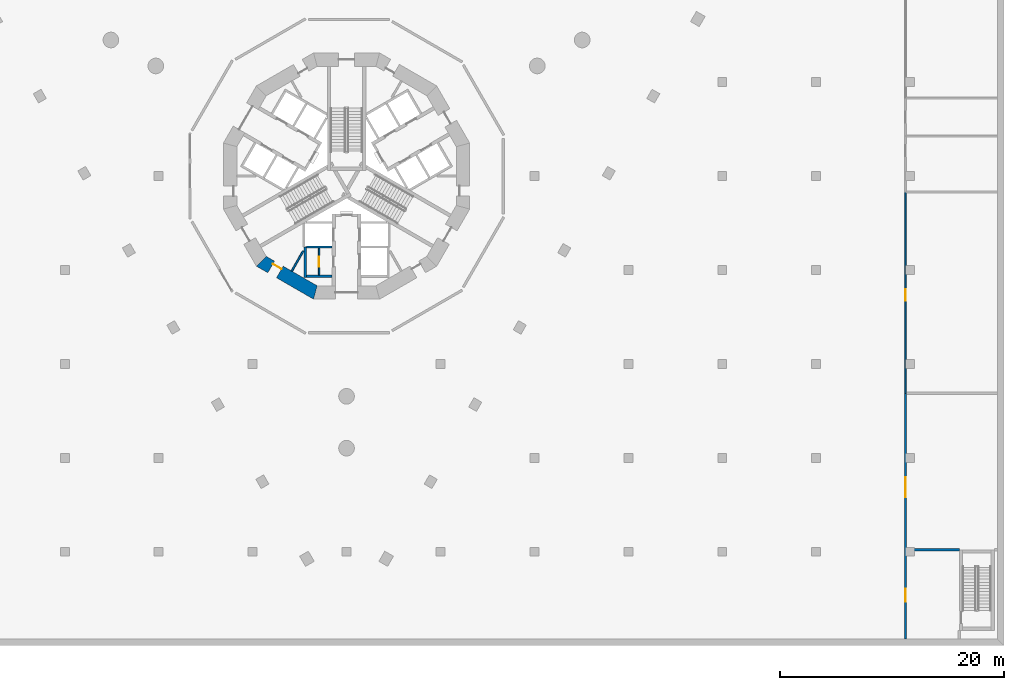
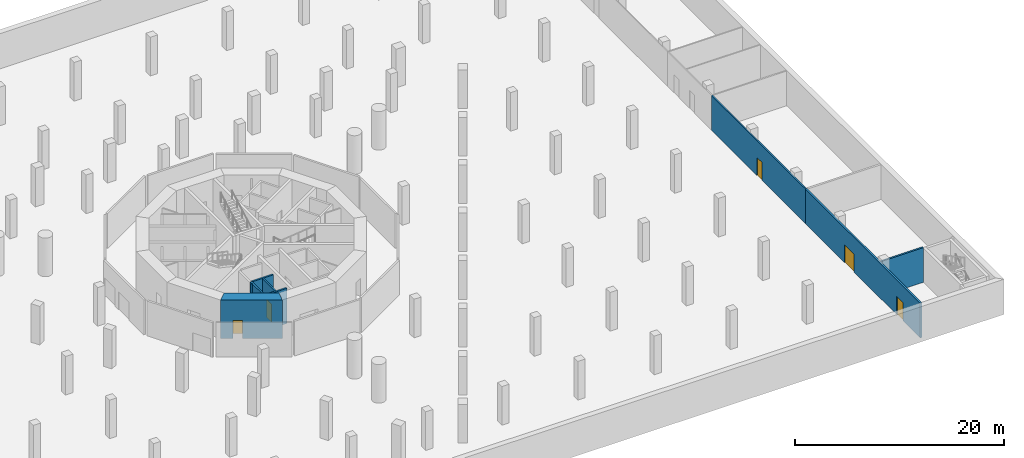
# One storey, part 5 of 21: 9 walls, 5 doors, 5 openings.
"""IFC4 building model written with IfcOpenShell, lengths in metres."""

from ifc_helpers import new_model, si_unit, direction, frame, frame_2d, origin, place, context, subcontext, project, spatial, polyline, rectangle, outline, extrude, material, layer, layer_set, type_object, element, fill, save


model = new_model("IFC4")

# Units and contexts
model_context = context("Model", 3, precision=1e-05, world=origin(), true_north=direction((0.0, 1.0)))
body_context = subcontext(model_context, "Body", "Model", "MODEL_VIEW")
ifc_project = project(units=[si_unit("LENGTHUNIT", "METRE"), si_unit("AREAUNIT", "SQUARE_METRE"), si_unit("VOLUMEUNIT", "CUBIC_METRE"), si_unit("PLANEANGLEUNIT", "RADIAN"), si_unit("MASSUNIT", "GRAM", prefix="KILO")], contexts=[model_context])

# Site, building, storey
site_placement = place(None, origin())
site = spatial("IfcSite", under=ifc_project, at=site_placement, CompositionType="ELEMENT")
building_placement = place(site_placement, origin())
building = spatial("IfcBuilding", under=site, at=building_placement, Name="Trine Commons Tower", CompositionType="ELEMENT")
storey_placement = place(building_placement, frame((0.0, 0.0, -4.5)))
storey = spatial("IfcBuildingStorey", under=building, at=storey_placement, Name="B1", CompositionType="ELEMENT", Elevation=-4.5)

# Wall, opening, door
ifc_material_1 = material(Name="Plasterboard on steel stud", Category="steel")
ifc_layer_1 = layer(ifc_material_1, 0.14990234375)
ifc_layer_set_1 = layer_set([ifc_layer_1], Name="Plasterboard on steel stud")
wall_type_1 = type_object("IfcWallType", Name="Compartment wall 150 mm, EI 60", PredefinedType="PARTITIONING", material=ifc_layer_set_1)
wall_1_placement = place(storey_placement, frame((130.0, 43.06982421875, 0.0), z_axis=(0.0, 0.0, 1.0), x_axis=(0.0, 1.0, 0.0)))
wall_1 = element("IfcWall", 1, at=wall_1_placement, inside=storey, type_object=wall_type_1, Name="Partition B1025", PredefinedType="PARTITIONING", context=body_context, shape_type="SweptSolid", body=[
    extrude(rectangle(XDim=18.00048828125, YDim=0.14990234375, at=frame_2d((9.000244140625, 0.0))), origin(), (0.0, 0.0, 1.0), 4.050048828125),
])
opening_1_placement = place(wall_1_placement, frame((8.30029296875, 0.0, 0.0)))
opening_1 = element("IfcOpeningElement", 2, at=opening_1_placement, cuts=wall_1, Name="Opening D-B112", PredefinedType="OPENING", context=body_context, shape_type="SweptSolid", body=[
    extrude(rectangle(XDim=1.0, YDim=2.10009765625, at=frame_2d((0.5, 1.050048828125))), frame((0.0, 0.0849609375, 0.0), z_axis=(0.0, -1.0, 0.0), x_axis=(1.0, 0.0, 0.0)), (0.0, 0.0, 1.0), 0.169921875),
])
ifc_material_2 = material(Name="Timber fire door set", Category="wood")
door_type_1 = type_object("IfcDoorType", Name="Single swing door 1000x2100, FD30S", OperationType="SINGLE_SWING_LEFT", PredefinedType="DOOR", material=ifc_material_2)
door_1_placement = place(opening_1_placement, origin())
door_1 = element("IfcDoor", 3, at=door_1_placement, inside=storey, type_object=door_type_1, Name="Door D-B112", OperationType="SINGLE_SWING_LEFT", OverallHeight=2.10009765625, OverallWidth=1.0, PredefinedType="DOOR", context=body_context, shape_type="SweptSolid", body=[
    extrude(rectangle(XDim=1.0, YDim=2.10009765625, at=frame_2d((0.5, 1.050048828125))), frame((0.0, 0.02490234375, 0.0), z_axis=(0.0, -1.0, 0.0), x_axis=(1.0, 0.0, 0.0)), (0.0, 0.0, 1.0), 0.050048828125),
])
fill(opening_1, door_1)

# Wall
ifc_material_3 = material(Name="Plasterboard partition on steel studs", Category="steel")
ifc_layer_2 = layer(ifc_material_3, 0.14990234375)
ifc_layer_set_2 = layer_set([ifc_layer_2], Name="Plasterboard partition on steel studs")
wall_type_2 = type_object("IfcWallType", Name="Core room partition 150 mm, EI 60", PredefinedType="PARTITIONING", material=ifc_layer_set_2)
wall_2_placement = place(storey_placement, frame((75.094970703125, 54.0029296875, 0.0), z_axis=(0.0, 0.0, 1.0), x_axis=(0.5000780968, 0.865980309881, 0.0)))
element("IfcWall", 4, at=wall_2_placement, inside=storey, type_object=wall_type_2, Name="Core room partition B1", PredefinedType="PARTITIONING", context=body_context, shape_type="SweptSolid", body=[
    extrude(rectangle(XDim=2.079833984375, YDim=0.14990234375, at=frame_2d((1.0400390625, 0.0))), origin(), (0.0, 0.0, 1.0), 4.10009765625),
])

# Wall, opening, door
wall_3_placement = place(storey_placement, frame((77.550048828125, 56.050048828125, 0.0), z_axis=(0.0, 0.0, 1.0), x_axis=(0.0, -1.0, 0.0)))
wall_3 = element("IfcWall", 5, at=wall_3_placement, inside=storey, type_object=wall_type_2, Name="Core room partition B1", PredefinedType="PARTITIONING", context=body_context, shape_type="SweptSolid", body=[
    extrude(rectangle(XDim=2.400146484375, YDim=0.14990234375, at=frame_2d((1.2001953125, 0.0))), origin(), (0.0, 0.0, 1.0), 4.10009765625),
])
opening_2_placement = place(wall_3_placement, frame((0.75, 0.0, 0.0)))
opening_2 = element("IfcOpeningElement", 6, at=opening_2_placement, cuts=wall_3, Name="Opening K02.11", PredefinedType="OPENING", context=body_context, shape_type="SweptSolid", body=[
    extrude(rectangle(XDim=0.89990234375, YDim=2.10009765625, at=frame_2d((0.449951171875, 1.050048828125))), frame((0.0, 0.0849609375, 0.0), z_axis=(0.0, -1.0, 0.0), x_axis=(1.0, 0.0, 0.0)), (0.0, 0.0, 1.0), 0.169921875),
])
ifc_material_4 = material(Name="Steel door leaf, fire-rated", Category="steel")
door_type_2 = type_object("IfcDoorType", Name="Core room door, single leaf 900 x 2100, FD30S", OperationType="SINGLE_SWING_LEFT", PredefinedType="DOOR", material=ifc_material_4)
door_2_placement = place(opening_2_placement, frame((0.89990234375, 0.0, 0.0), z_axis=(0.0, 0.0, 1.0), x_axis=(-1.0, 0.0, 0.0)))
door_2 = element("IfcDoor", 7, at=door_2_placement, inside=storey, type_object=door_type_2, Name="Door to Store B1", OperationType="SINGLE_SWING_LEFT", OverallHeight=2.10009765625, OverallWidth=0.89990234375, PredefinedType="DOOR", context=body_context, shape_type="SweptSolid", body=[
    extrude(rectangle(XDim=0.89990234375, YDim=2.10009765625, at=frame_2d((0.449951171875, 1.050048828125))), frame((0.0, 0.02490234375, 0.0), z_axis=(0.0, -1.0, 0.0), x_axis=(1.0, 0.0, 0.0)), (0.0, 0.0, 1.0), 0.050048828125),
])
fill(opening_2, door_2)

# Wall, openings, doors
ifc_layer_3 = layer(ifc_material_1, 0.199951171875)
ifc_layer_set_3 = layer_set([ifc_layer_3], Name="Plasterboard on steel stud")
wall_type_3 = type_object("IfcWallType", Name="Fire wall 200 mm, EI 120", PredefinedType="PARTITIONING", material=ifc_layer_set_3)
wall_4_placement = place(storey_placement, frame((130.0, 21.10009765625, 0.0), z_axis=(0.0, 0.0, 1.0), x_axis=(0.0, 1.0, 0.0)))
wall_4 = element("IfcWall", 8, at=wall_4_placement, inside=storey, type_object=wall_type_3, Name="Partition B1023", PredefinedType="PARTITIONING", context=body_context, shape_type="SweptSolid", body=[
    extrude(rectangle(XDim=21.97021484375, YDim=0.199951171875, at=frame_2d((10.985107421875, 0.0))), origin(), (0.0, 0.0, 1.0), 4.050048828125),
])
opening_3_placement = place(wall_4_placement, frame((3.31005859375, 0.0, 0.0)))
opening_3 = element("IfcOpeningElement", 9, at=opening_3_placement, cuts=wall_4, Name="Opening D-B110", PredefinedType="OPENING", context=body_context, shape_type="SweptSolid", body=[
    extrude(rectangle(XDim=1.199951171875, YDim=2.10009765625, at=frame_2d((0.60009765625, 1.050048828125))), frame((0.0, 0.10986328125, 0.0), z_axis=(0.0, -1.0, 0.0), x_axis=(1.0, 0.0, 0.0)), (0.0, 0.0, 1.0), 0.219970703125),
])
opening_4_placement = place(wall_4_placement, frame((12.669921875, 0.0, 0.0)))
opening_4 = element("IfcOpeningElement", 10, at=opening_4_placement, cuts=wall_4, Name="Opening D-B111", PredefinedType="OPENING", context=body_context, shape_type="SweptSolid", body=[
    extrude(rectangle(XDim=1.800048828125, YDim=2.10009765625, at=frame_2d((0.89990234375, 1.050048828125))), frame((0.0, 0.10986328125, 0.0), z_axis=(0.0, -1.0, 0.0), x_axis=(1.0, 0.0, 0.0)), (0.0, 0.0, 1.0), 0.219970703125),
])
door_type_3 = type_object("IfcDoorType", Name="Double swing door 1800x2100, FD60", OperationType="DOUBLE_DOOR_DOUBLE_SWING", PredefinedType="DOOR", material=ifc_material_2)
door_3_placement = place(opening_4_placement, origin())
door_3 = element("IfcDoor", 11, at=door_3_placement, inside=storey, type_object=door_type_3, Name="Door D-B111", OperationType="DOUBLE_DOOR_DOUBLE_SWING", OverallHeight=2.10009765625, OverallWidth=1.800048828125, PredefinedType="DOOR", context=body_context, shape_type="SweptSolid", body=[
    extrude(rectangle(XDim=1.800048828125, YDim=2.10009765625, at=frame_2d((0.89990234375, 1.050048828125))), frame((0.0, 0.02490234375, 0.0), z_axis=(0.0, -1.0, 0.0), x_axis=(1.0, 0.0, 0.0)), (0.0, 0.0, 1.0), 0.050048828125),
])
fill(opening_4, door_3)
door_type_4 = type_object("IfcDoorType", Name="Single swing door 1200x2100, FD60", OperationType="SINGLE_SWING_LEFT", PredefinedType="DOOR", material=ifc_material_2)
door_4_placement = place(opening_3_placement, origin())
door_4 = element("IfcDoor", 12, at=door_4_placement, inside=storey, type_object=door_type_4, Name="Door D-B110", OperationType="SINGLE_SWING_LEFT", OverallHeight=2.10009765625, OverallWidth=1.199951171875, PredefinedType="DOOR", context=body_context, shape_type="SweptSolid", body=[
    extrude(rectangle(XDim=1.199951171875, YDim=2.10009765625, at=frame_2d((0.60009765625, 1.050048828125))), frame((0.0, 0.02490234375, 0.0), z_axis=(0.0, -1.0, 0.0), x_axis=(1.0, 0.0, 0.0)), (0.0, 0.0, 1.0), 0.050048828125),
])
fill(opening_3, door_4)

# Wall
wall_5_placement = place(storey_placement, frame((130.10009765625, 29.070068359375, 0.0), z_axis=(0.0, 0.0, 1.0), x_axis=(1.0, 0.0, 0.0)))
element("IfcWall", 13, at=wall_5_placement, inside=storey, type_object=wall_type_3, Name="Partition B1024", PredefinedType="PARTITIONING", context=body_context, shape_type="SweptSolid", body=[
    extrude(rectangle(XDim=4.7001953125, YDim=0.199951171875, at=frame_2d((2.35009765625, 0.0))), origin(), (0.0, 0.0, 1.0), 4.050048828125),
])

# Wall, opening, door
ifc_material_5 = material(Name="Concrete C80/95", Category="concrete")
ifc_layer_4 = layer(ifc_material_5, 1.199951171875)
ifc_layer_set_4 = layer_set([ifc_layer_4], Name="Concrete C80/95")
wall_type_4 = type_object("IfcWallType", Name="RC shear wall 1200 mm, C80/95", PredefinedType="SHEAR", material=ifc_layer_set_4)
wall_6_placement = place(storey_placement, frame((72.239013671875, 54.95849609375, 0.0), z_axis=(0.0, 0.0, 1.0), x_axis=(0.866037463336, -0.499979111662, 0.0)))
wall_6 = element("IfcWall", 14, at=wall_6_placement, inside=storey, type_object=wall_type_4, Name="Core wall CWA-09 B1", PredefinedType="SHEAR", context=body_context, shape_type="SweptSolid", body=[
    extrude(outline(polyline([(0.0, -0.60009765625), (5.901123046875, -0.60009765625), (5.57958984375, 0.60009765625), (0.321533203125, 0.60009765625), (0.0, -0.60009765625)])), origin(), (0.0, 0.0, 1.0), 4.5),
])
opening_5_placement = place(wall_6_placement, frame((1.176513671875, 0.0, 0.0)))
opening_5 = element("IfcOpeningElement", 15, at=opening_5_placement, cuts=wall_6, Name="Opening K02.15", PredefinedType="OPENING", context=body_context, shape_type="SweptSolid", body=[
    extrude(rectangle(XDim=0.89990234375, YDim=2.10009765625, at=frame_2d((0.449951171875, 1.050048828125))), frame((0.0, 0.60986328125, 0.0), z_axis=(0.0, -1.0, 0.0), x_axis=(1.0, 0.0, 0.0)), (0.0, 0.0, 1.0), 1.219970703125),
])
door_5_placement = place(opening_5_placement, origin())
door_5 = element("IfcDoor", 16, at=door_5_placement, inside=storey, type_object=door_type_2, Name="Door to Pump room B1", OperationType="SINGLE_SWING_LEFT", OverallHeight=2.10009765625, OverallWidth=0.89990234375, PredefinedType="DOOR", context=body_context, shape_type="SweptSolid", body=[
    extrude(rectangle(XDim=0.89990234375, YDim=2.10009765625, at=frame_2d((0.449951171875, 1.050048828125))), frame((0.0, 0.3251953125, 0.0), z_axis=(0.0, -1.0, 0.0), x_axis=(1.0, 0.0, 0.0)), (0.0, 0.0, 1.0), 0.050048828125),
])
fill(opening_5, door_5)

# Walls
ifc_material_6 = material(Name="Fire-rated gypsum shaft wall system")
ifc_layer_5 = layer(ifc_material_6, 0.199951171875)
ifc_layer_set_5 = layer_set([ifc_layer_5], Name="Fire-rated gypsum shaft wall system")
wall_type_5 = type_object("IfcWallType", Name="Shaft wall 200 mm, EI 120", PredefinedType="PARTITIONING", material=ifc_layer_set_5)
wall_7_placement = place(storey_placement, frame((76.300048828125, 56.14990234375, 0.0), z_axis=(0.0, 0.0, 1.0), x_axis=(0.0, -1.0, 0.0)))
element("IfcWall", 17, at=wall_7_placement, inside=storey, type_object=wall_type_5, Name="Shaft wall B1", PredefinedType="PARTITIONING", context=body_context, shape_type="SweptSolid", body=[
    extrude(rectangle(XDim=2.699951171875, YDim=0.199951171875, at=frame_2d((1.35009765625, 0.0))), origin(), (0.0, 0.0, 1.0), 4.10009765625),
])
for number, where, z_axis, x_axis, name in (
    (18, (78.699951171875, 53.550048828125, 0.0), (0.0, 0.0, 1.0), (-1.0, 0.0, 0.0), "Shaft wall B1"),
    (19, (78.699951171875, 56.14990234375, 0.0), (0.0, 0.0, 1.0), (-1.0, 0.0, 0.0), "Shaft wall B1"),
):
    element("IfcWall", number, at=place(storey_placement, frame(where, z_axis=z_axis, x_axis=x_axis)), inside=storey, type_object=wall_type_5, Name=name, PredefinedType="PARTITIONING", context=body_context, shape_type="SweptSolid", body=[
        extrude(rectangle(XDim=2.300048828125, YDim=0.199951171875, at=frame_2d((1.14990234375, 0.0))), origin(), (0.0, 0.0, 1.0), 4.10009765625),
    ])

save(model, "model.ifc")
